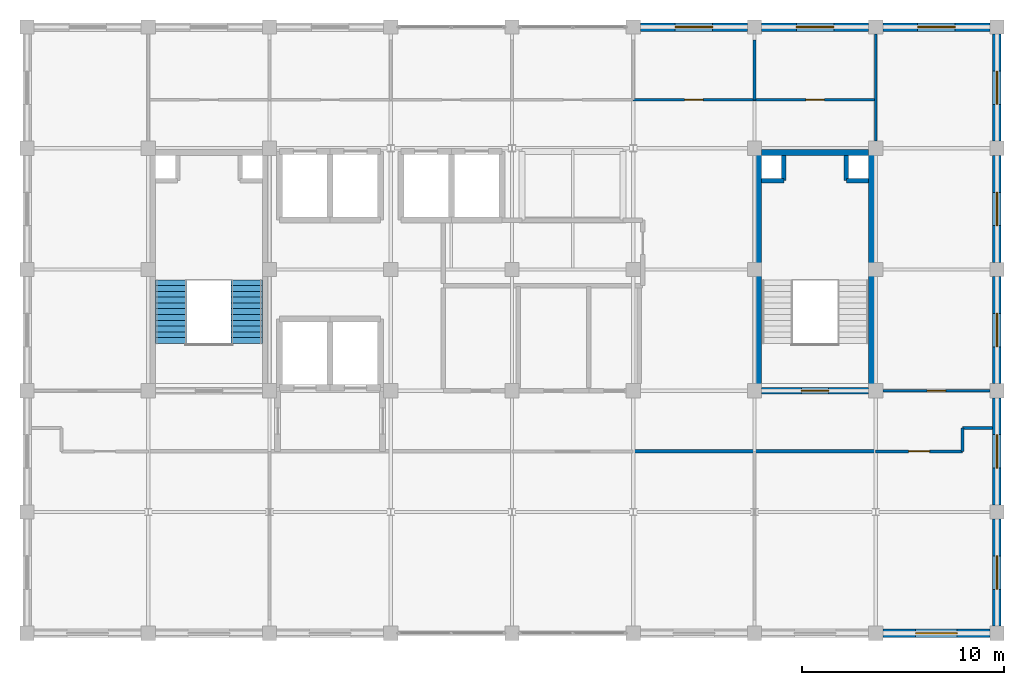
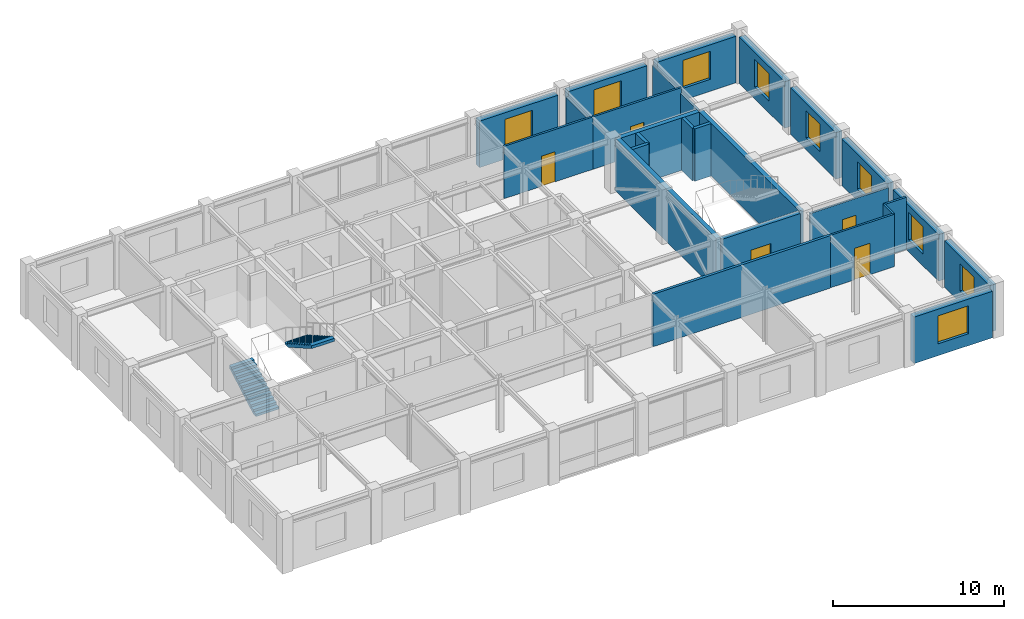
# One storey, part 11 of 13: 26 walls, 9 windows, 5 doors, 2 stair flights, 14 openings, 1 element without a shape of its own.
"""IFC4 building model written with IfcOpenShell, lengths in metres."""

from ifc_helpers import new_model, si_unit, direction, frame, frame_2d, origin, place, context, subcontext, project, spatial, polyline, rectangle, outline, extrude, material, layer, layer_set, type_object, element, fill, aggregate, save


model = new_model("IFC4")

# Units and contexts
model_context = context("Model", 3, precision=1e-05, world=origin(), true_north=direction((0.0, 1.0)))
body_context = subcontext(model_context, "Body", "Model", "MODEL_VIEW")
ifc_project = project(units=[si_unit("LENGTHUNIT", "METRE"), si_unit("AREAUNIT", "SQUARE_METRE"), si_unit("VOLUMEUNIT", "CUBIC_METRE"), si_unit("PLANEANGLEUNIT", "RADIAN"), si_unit("MASSUNIT", "GRAM", prefix="KILO")], contexts=[model_context])

# Site, building, storey
site_placement = place(None, origin())
site = spatial("IfcSite", under=ifc_project, at=site_placement, CompositionType="ELEMENT")
building_placement = place(site_placement, origin())
building = spatial("IfcBuilding", under=site, at=building_placement, Name="Zlatovratsky Civic Hall", CompositionType="ELEMENT")
storey_placement = place(building_placement, frame((0.0, 0.0, 44.39990234375)))
storey = spatial("IfcBuildingStorey", under=building, at=storey_placement, Name="L11", CompositionType="ELEMENT", Elevation=44.39990234375)

# Wall
ifc_material_1 = material(Name="Acoustic ceramic blockwork", Category="masonry")
ifc_layer_1 = layer(ifc_material_1, 0.179931640625)
ifc_layer_set_1 = layer_set([ifc_layer_1], Name="Acoustic ceramic blockwork")
wall_type_1 = type_object("IfcWallType", Name="Wall_AcousticChamberPartition_180", PredefinedType="PARTITIONING", material=ifc_layer_set_1)
wall_1_placement = place(storey_placement, frame((90.0, 81.0, 0.0), z_axis=(0.0, 0.0, 1.0), x_axis=(1.0, 0.0, 0.0)))
element("IfcWall", 1, at=wall_1_placement, inside=storey, type_object=wall_type_1, Name="WL-6557", PredefinedType="PARTITIONING", context=body_context, shape_type="SweptSolid", body=[
    extrude(rectangle(XDim=12.0, YDim=0.179931640625, at=frame_2d((6.0, 0.0))), origin(), (0.0, 0.0, 1.0), 3.739990234375),
])

# Wall, opening, door
ifc_material_2 = material(Name="Fire-rated gypsum board framing", Category="gypsum")
ifc_layer_2 = layer(ifc_material_2, 0.139892578125)
ifc_layer_set_2 = layer_set([ifc_layer_2], Name="Fire-rated gypsum board framing")
wall_type_2 = type_object("IfcWallType", Name="Wall_OfficePartition_140", PredefinedType="PARTITIONING", material=ifc_layer_set_2)
wall_2_placement = place(storey_placement, frame((102.0, 81.0, 0.0), z_axis=(0.0, 0.0, 1.0), x_axis=(1.0, 0.0, 0.0)))
wall_2 = element("IfcWall", 2, at=wall_2_placement, inside=storey, type_object=wall_type_2, Name="WL-6534", PredefinedType="PARTITIONING", context=body_context, shape_type="SweptSolid", body=[
    extrude(rectangle(XDim=4.300048828125, YDim=0.139892578125, at=frame_2d((2.14990234375, 0.0))), origin(), (0.0, 0.0, 1.0), 3.739990234375),
])
opening_1_placement = place(wall_2_placement, frame((1.625, 0.0, 0.0)))
opening_1 = element("IfcOpeningElement", 3, at=opening_1_placement, cuts=wall_2, Name="Opening D-24", PredefinedType="OPENING", context=body_context, shape_type="SweptSolid", body=[
    extrude(rectangle(XDim=1.050048828125, YDim=2.25, at=frame_2d((0.52490234375, 1.125))), frame((0.0, 0.0849609375, 0.0), z_axis=(0.0, -1.0, 0.0), x_axis=(1.0, 0.0, 0.0)), (0.0, 0.0, 1.0), 0.169677734375),
])
ifc_material_3 = material(Name="Solid oak joinery in steel frame", Category="steel")
door_type_1 = type_object("IfcDoorType", Name="Door_DirectorateOffice_1050x2250", OperationType="NOTDEFINED", PredefinedType="DOOR", material=ifc_material_3)
door_1_placement = place(opening_1_placement, origin())
door_1 = element("IfcDoor", 4, at=door_1_placement, inside=storey, type_object=door_type_1, Name="DR-5458", OperationType="SINGLE_SWING_RIGHT", OverallHeight=2.25, OverallWidth=1.050048828125, PredefinedType="DOOR", context=body_context, shape_type="SweptSolid", body=[
    extrude(rectangle(XDim=1.050048828125, YDim=2.25, at=frame_2d((0.52490234375, 1.125))), frame((0.0, 0.02490234375, 0.0), z_axis=(0.0, -1.0, 0.0), x_axis=(1.0, 0.0, 0.0)), (0.0, 0.0, 1.0), 0.050048828125),
])
fill(opening_1, door_1)

wall_3_placement = place(storey_placement, frame((102.35009765625, 84.0, 0.0), z_axis=(0.0, 0.0, 1.0), x_axis=(1.0, 0.0, 0.0)))
wall_3 = element("IfcWall", 5, at=wall_3_placement, inside=storey, type_object=wall_type_2, Name="WL-6536", PredefinedType="PARTITIONING", context=body_context, shape_type="SweptSolid", body=[
    extrude(rectangle(XDim=5.2998046875, YDim=0.139892578125, at=frame_2d((2.64990234375, 0.0))), origin(), (0.0, 0.0, 1.0), 3.34814453125),
])
opening_2_placement = place(wall_3_placement, frame((2.18994140625, 0.0, 0.0)))
opening_2 = element("IfcOpeningElement", 6, at=opening_2_placement, cuts=wall_3, Name="Opening D-23", PredefinedType="OPENING", context=body_context, shape_type="SweptSolid", body=[
    extrude(rectangle(XDim=0.919921875, YDim=2.14990234375, at=frame_2d((0.4599609375, 1.074951171875))), frame((0.0, 0.0849609375, 0.0), z_axis=(0.0, -1.0, 0.0), x_axis=(1.0, 0.0, 0.0)), (0.0, 0.0, 1.0), 0.169677734375),
])
door_type_2 = type_object("IfcDoorType", Name="Door_OfficeStandard_920x2150", OperationType="NOTDEFINED", PredefinedType="DOOR", material=ifc_material_3)
door_2_placement = place(opening_2_placement, origin())
door_2 = element("IfcDoor", 7, at=door_2_placement, inside=storey, type_object=door_type_2, Name="DR-5460", OperationType="SINGLE_SWING_LEFT", OverallHeight=2.14990234375, OverallWidth=0.919921875, PredefinedType="DOOR", context=body_context, shape_type="SweptSolid", body=[
    extrude(rectangle(XDim=0.919921875, YDim=2.14990234375, at=frame_2d((0.4599609375, 1.074951171875))), frame((0.0, 0.02490234375, 0.0), z_axis=(0.0, -1.0, 0.0), x_axis=(1.0, 0.0, 0.0)), (0.0, 0.0, 1.0), 0.050048828125),
])
fill(opening_2, door_2)

wall_4_placement = place(storey_placement, frame((90.0, 98.39990234375, 0.0), z_axis=(0.0, 0.0, 1.0), x_axis=(1.0, 0.0, 0.0)))
wall_4 = element("IfcWall", 8, at=wall_4_placement, inside=storey, type_object=wall_type_2, Name="WL-6541", PredefinedType="PARTITIONING", context=body_context, shape_type="SweptSolid", body=[
    extrude(rectangle(XDim=6.0, YDim=0.139892578125, at=frame_2d((3.0, 0.0))), origin(), (0.0, 0.0, 1.0), 3.739990234375),
])
opening_3_placement = place(wall_4_placement, frame((2.5400390625, 0.0, 0.0)))
opening_3 = element("IfcOpeningElement", 9, at=opening_3_placement, cuts=wall_4, Name="Opening D-23", PredefinedType="OPENING", context=body_context, shape_type="SweptSolid", body=[
    extrude(rectangle(XDim=0.919921875, YDim=2.14990234375, at=frame_2d((0.4599609375, 1.074951171875))), frame((0.0, 0.0849609375, 0.0), z_axis=(0.0, -1.0, 0.0), x_axis=(1.0, 0.0, 0.0)), (0.0, 0.0, 1.0), 0.169677734375),
])
door_3_placement = place(opening_3_placement, origin())
door_3 = element("IfcDoor", 10, at=door_3_placement, inside=storey, type_object=door_type_2, Name="DR-5465", OperationType="SINGLE_SWING_RIGHT", OverallHeight=2.14990234375, OverallWidth=0.919921875, PredefinedType="DOOR", context=body_context, shape_type="SweptSolid", body=[
    extrude(rectangle(XDim=0.919921875, YDim=2.14990234375, at=frame_2d((0.4599609375, 1.074951171875))), frame((0.0, 0.02490234375, 0.0), z_axis=(0.0, -1.0, 0.0), x_axis=(1.0, 0.0, 0.0)), (0.0, 0.0, 1.0), 0.050048828125),
])
fill(opening_3, door_3)

wall_5_placement = place(storey_placement, frame((96.0, 98.39990234375, 0.0), z_axis=(0.0, 0.0, 1.0), x_axis=(1.0, 0.0, 0.0)))
wall_5 = element("IfcWall", 11, at=wall_5_placement, inside=storey, type_object=wall_type_2, Name="WL-6542", PredefinedType="PARTITIONING", context=body_context, shape_type="SweptSolid", body=[
    extrude(rectangle(XDim=6.0, YDim=0.139892578125, at=frame_2d((3.0, 0.0))), origin(), (0.0, 0.0, 1.0), 3.739990234375),
])
opening_4_placement = place(wall_5_placement, frame((2.5400390625, 0.0, 0.0)))
opening_4 = element("IfcOpeningElement", 12, at=opening_4_placement, cuts=wall_5, Name="Opening D-23", PredefinedType="OPENING", context=body_context, shape_type="SweptSolid", body=[
    extrude(rectangle(XDim=0.919921875, YDim=2.14990234375, at=frame_2d((0.4599609375, 1.074951171875))), frame((0.0, 0.0849609375, 0.0), z_axis=(0.0, -1.0, 0.0), x_axis=(1.0, 0.0, 0.0)), (0.0, 0.0, 1.0), 0.169677734375),
])
door_4_placement = place(opening_4_placement, origin())
door_4 = element("IfcDoor", 13, at=door_4_placement, inside=storey, type_object=door_type_2, Name="DR-5466", OperationType="SINGLE_SWING_RIGHT", OverallHeight=2.14990234375, OverallWidth=0.919921875, PredefinedType="DOOR", context=body_context, shape_type="SweptSolid", body=[
    extrude(rectangle(XDim=0.919921875, YDim=2.14990234375, at=frame_2d((0.4599609375, 1.074951171875))), frame((0.0, 0.02490234375, 0.0), z_axis=(0.0, -1.0, 0.0), x_axis=(1.0, 0.0, 0.0)), (0.0, 0.0, 1.0), 0.050048828125),
])
fill(opening_4, door_4)

# Walls
wall_6_placement = place(storey_placement, frame((96.0, 98.39990234375, 0.0), z_axis=(0.0, 0.0, 1.0), x_axis=(0.0, 1.0, 0.0)))
element("IfcWall", 14, at=wall_6_placement, inside=storey, type_object=wall_type_2, Name="WL-6549", PredefinedType="PARTITIONING", context=body_context, shape_type="SweptSolid", body=[
    extrude(rectangle(XDim=2.9501953125, YDim=0.139892578125, at=frame_2d((1.47509765625, 0.0))), origin(), (0.0, 0.0, 1.0), 3.34814453125),
])
wall_7_placement = place(storey_placement, frame((106.300048828125, 81.0, 0.0), z_axis=(0.0, 0.0, 1.0), x_axis=(0.0, 1.0, 0.0)))
element("IfcWall", 15, at=wall_7_placement, inside=storey, type_object=wall_type_2, Name="WL-6560", PredefinedType="PARTITIONING", context=body_context, shape_type="SweptSolid", body=[
    extrude(rectangle(XDim=1.14990234375, YDim=0.139892578125, at=frame_2d((0.574951171875, 0.0))), origin(), (0.0, 0.0, 1.0), 3.739990234375),
])
wall_8_placement = place(storey_placement, frame((106.300048828125, 82.14990234375, 0.0), z_axis=(0.0, 0.0, 1.0), x_axis=(1.0, 0.0, 0.0)))
element("IfcWall", 16, at=wall_8_placement, inside=storey, type_object=wall_type_2, Name="WL-6561", PredefinedType="PARTITIONING", context=body_context, shape_type="SweptSolid", body=[
    extrude(rectangle(XDim=1.489990234375, YDim=0.139892578125, at=frame_2d((0.7451171875, 0.0))), origin(), (0.0, 0.0, 1.0), 3.739990234375),
])
wall_9_placement = place(storey_placement, frame((102.0, 96.35009765625, 0.0), z_axis=(0.0, 0.0, 1.0), x_axis=(0.0, 1.0, 0.0)))
element("IfcWall", 17, at=wall_9_placement, inside=storey, type_object=wall_type_2, Name="WL-6563", PredefinedType="PARTITIONING", context=body_context, shape_type="SweptSolid", body=[
    extrude(rectangle(XDim=5.2998046875, YDim=0.139892578125, at=frame_2d((2.64990234375, 0.0))), origin(), (0.0, 0.0, 1.0), 3.34814453125),
])
ifc_layer_3 = layer(ifc_material_1, 0.219970703125)
ifc_layer_set_3 = layer_set([ifc_layer_3], Name="Acoustic ceramic blockwork")
wall_type_3 = type_object("IfcWallType", Name="Wall_SanitaryWetCore_220", PredefinedType="PARTITIONING", material=ifc_layer_set_3)
wall_10_placement = place(storey_placement, frame((97.449951171875, 94.39990234375, 0.0), z_axis=(0.0, 0.0, 1.0), x_axis=(0.0, 1.0, 0.0)))
element("IfcWall", 18, at=wall_10_placement, inside=storey, type_object=wall_type_3, Name="WL-5251", PredefinedType="PARTITIONING", context=body_context, shape_type="SweptSolid", body=[
    extrude(rectangle(XDim=1.25, YDim=0.219970703125, at=frame_2d((0.625, 0.0))), origin(), (0.0, 0.0, 1.0), 3.739990234375),
])
wall_11_placement = place(storey_placement, frame((96.35009765625, 94.39990234375, 0.0), z_axis=(0.0, 0.0, 1.0), x_axis=(1.0, 0.0, 0.0)))
element("IfcWall", 19, at=wall_11_placement, inside=storey, type_object=wall_type_3, Name="WL-5252", PredefinedType="PARTITIONING", context=body_context, shape_type="SweptSolid", body=[
    extrude(rectangle(XDim=1.099853515625, YDim=0.219970703125, at=frame_2d((0.5498046875, 0.0))), origin(), (0.0, 0.0, 1.0), 3.739990234375),
])
wall_12_placement = place(storey_placement, frame((100.550048828125, 94.39990234375, 0.0), z_axis=(0.0, 0.0, 1.0), x_axis=(0.0, 1.0, 0.0)))
element("IfcWall", 20, at=wall_12_placement, inside=storey, type_object=wall_type_3, Name="WL-5253", PredefinedType="PARTITIONING", context=body_context, shape_type="SweptSolid", body=[
    extrude(rectangle(XDim=1.25, YDim=0.219970703125, at=frame_2d((0.625, 0.0))), origin(), (0.0, 0.0, 1.0), 3.739990234375),
])
wall_13_placement = place(storey_placement, frame((100.550048828125, 94.39990234375, 0.0), z_axis=(0.0, 0.0, 1.0), x_axis=(1.0, 0.0, 0.0)))
element("IfcWall", 21, at=wall_13_placement, inside=storey, type_object=wall_type_3, Name="WL-5254", PredefinedType="PARTITIONING", context=body_context, shape_type="SweptSolid", body=[
    extrude(rectangle(XDim=1.099853515625, YDim=0.219970703125, at=frame_2d((0.5498046875, 0.0))), origin(), (0.0, 0.0, 1.0), 3.739990234375),
])

# Wall, opening, door
ifc_material_4 = material(Name="Concrete C35/45 (B40)", Category="concrete")
ifc_layer_4 = layer(ifc_material_4, 0.300048828125)
ifc_layer_set_4 = layer_set([ifc_layer_4], Name="Concrete C35/45 (B40)")
wall_type_4 = type_object("IfcWallType", Name="Wall_StairAndLiftShaft_300", PredefinedType="SHEAR", material=ifc_layer_set_4)
wall_14_placement = place(storey_placement, frame((96.35009765625, 84.0, 0.0), z_axis=(0.0, 0.0, 1.0), x_axis=(1.0, 0.0, 0.0)))
wall_14 = element("IfcWall", 22, at=wall_14_placement, inside=storey, type_object=wall_type_4, Name="WL-5247", PredefinedType="SHEAR", context=body_context, shape_type="SweptSolid", body=[
    extrude(rectangle(XDim=5.2998046875, YDim=0.300048828125, at=frame_2d((2.64990234375, 0.0))), origin(), (0.0, 0.0, 1.0), 3.66015625),
])
opening_5_placement = place(wall_14_placement, frame((1.97509765625, 0.0, 0.0)))
opening_5 = element("IfcOpeningElement", 23, at=opening_5_placement, cuts=wall_14, Name="Opening D-17", PredefinedType="OPENING", context=body_context, shape_type="SweptSolid", body=[
    extrude(rectangle(XDim=1.35009765625, YDim=2.199951171875, at=frame_2d((0.675048828125, 1.10009765625))), frame((0.0, 0.1650390625, 0.0), z_axis=(0.0, -1.0, 0.0), x_axis=(1.0, 0.0, 0.0)), (0.0, 0.0, 1.0), 0.329833984375),
])
ifc_material_5 = material(Name="Insulated painted fire-rated steel leaf", Category="steel")
door_type_3 = type_object("IfcDoorType", Name="Door_StairwellFireTower_1350x2200", OperationType="NOTDEFINED", PredefinedType="DOOR", material=ifc_material_5)
door_5_placement = place(opening_5_placement, origin())
door_5 = element("IfcDoor", 24, at=door_5_placement, inside=storey, type_object=door_type_3, Name="DR-5031", OperationType="SINGLE_SWING_LEFT", OverallHeight=2.199951171875, OverallWidth=1.35009765625, PredefinedType="DOOR", context=body_context, shape_type="SweptSolid", body=[
    extrude(rectangle(XDim=1.35009765625, YDim=2.199951171875, at=frame_2d((0.675048828125, 1.10009765625))), frame((0.0, 0.02490234375, 0.0), z_axis=(0.0, -1.0, 0.0), x_axis=(1.0, 0.0, 0.0)), (0.0, 0.0, 1.0), 0.050048828125),
])
fill(opening_5, door_5)

# Walls
wall_15_placement = place(storey_placement, frame((96.35009765625, 95.800048828125, 0.0), z_axis=(0.0, 0.0, 1.0), x_axis=(1.0, 0.0, 0.0)))
element("IfcWall", 25, at=wall_15_placement, inside=storey, type_object=wall_type_4, Name="WL-5248", PredefinedType="SHEAR", context=body_context, shape_type="SweptSolid", body=[
    extrude(rectangle(XDim=5.2998046875, YDim=0.300048828125, at=frame_2d((2.64990234375, 0.0))), origin(), (0.0, 0.0, 1.0), 3.739990234375),
])
for number, where, z_axis, x_axis, name in (
    (26, (96.199951171875, 84.0, 0.0), (0.0, 0.0, 1.0), (0.0, 1.0, 0.0), "WL-5249"),
    (27, (101.800048828125, 84.0, 0.0), (0.0, 0.0, 1.0), (0.0, 1.0, 0.0), "WL-5250"),
):
    element("IfcWall", number, at=place(storey_placement, frame(where, z_axis=z_axis, x_axis=x_axis)), inside=storey, type_object=wall_type_4, Name=name, PredefinedType="SHEAR", context=body_context, shape_type="SweptSolid", body=[
        extrude(rectangle(XDim=11.800048828125, YDim=0.300048828125, at=frame_2d((5.89990234375, 0.0))), origin(), (0.0, 0.0, 1.0), 3.739990234375),
    ])

# Wall, opening, window
ifc_layer_5 = layer(ifc_material_1, 0.280029296875, Name="Backing")
ifc_material_6 = material(Name="Podolsk limestone ashlar", Category="masonry")
ifc_layer_6 = layer(ifc_material_6, 0.139892578125, Name="Finish")
ifc_layer_set_5 = layer_set([ifc_layer_5, ifc_layer_6], Name="Acoustic ceramic blockwork")
wall_type_5 = type_object("IfcWallType", Name="Wall_TowerLimestoneAshlar_420", PredefinedType="SOLIDWALL", material=ifc_layer_set_5)
wall_16_placement = place(storey_placement, frame((102.35009765625, 72.0, 0.0), z_axis=(0.0, 0.0, 1.0), x_axis=(1.0, 0.0, 0.0)))
wall_16 = element("IfcWall", 28, at=wall_16_placement, inside=storey, type_object=wall_type_5, Name="WL-0550", PredefinedType="SOLIDWALL", context=body_context, shape_type="SweptSolid", body=[
    extrude(rectangle(XDim=5.2998046875, YDim=0.419921875, at=frame_2d((2.64990234375, 0.0))), origin(), (0.0, 0.0, 1.0), 3.320068359375),
])
opening_6_placement = place(wall_16_placement, frame((1.625, 0.0, 0.85009765625)))
opening_6 = element("IfcOpeningElement", 29, at=opening_6_placement, cuts=wall_16, Name="Opening WN-17", PredefinedType="OPENING", context=body_context, shape_type="SweptSolid", body=[
    extrude(rectangle(XDim=2.050048828125, YDim=2.0, at=frame_2d((1.02490234375, 1.0))), frame((0.0, 0.224853515625, 0.0), z_axis=(0.0, -1.0, 0.0), x_axis=(1.0, 0.0, 0.0)), (0.0, 0.0, 1.0), 0.44970703125),
])
ifc_material_7 = material(Name="Low-E laminated double glazing", Category="glass")
window_type_1 = type_object("IfcWindowType", Name="Window_TowerTier2South_2050x2000", PartitioningType="SINGLE_PANEL", PredefinedType="WINDOW", material=ifc_material_7)
window_1_placement = place(opening_6_placement, origin())
window_1 = element("IfcWindow", 30, at=window_1_placement, inside=storey, type_object=window_type_1, Name="WN-0424", OverallHeight=2.0, OverallWidth=2.050048828125, PartitioningType="SINGLE_PANEL", PredefinedType="WINDOW", context=body_context, shape_type="SweptSolid", body=[
    extrude(rectangle(XDim=2.050048828125, YDim=2.0, at=frame_2d((1.02490234375, 1.0))), frame((0.0, 0.030029296875, 0.0), z_axis=(0.0, -1.0, 0.0), x_axis=(1.0, 0.0, 0.0)), (0.0, 0.0, 1.0), 0.06005859375),
])
fill(opening_6, window_1)

wall_17_placement = place(storey_placement, frame((90.35009765625, 102.0, 0.0), z_axis=(0.0, 0.0, 1.0), x_axis=(1.0, 0.0, 0.0)))
wall_17 = element("IfcWall", 31, at=wall_17_placement, inside=storey, type_object=wall_type_5, Name="WL-0554", PredefinedType="SOLIDWALL", context=body_context, shape_type="SweptSolid", body=[
    extrude(rectangle(XDim=5.2998046875, YDim=0.419921875, at=frame_2d((2.64990234375, 0.0))), origin(), (0.0, 0.0, 1.0), 3.320068359375),
])
opening_7_placement = place(wall_17_placement, frame((1.72509765625, 0.0, 0.85009765625)))
opening_7 = element("IfcOpeningElement", 32, at=opening_7_placement, cuts=wall_17, Name="Opening WN-18", PredefinedType="OPENING", context=body_context, shape_type="SweptSolid", body=[
    extrude(rectangle(XDim=1.85009765625, YDim=2.0, at=frame_2d((0.925048828125, 1.0))), frame((0.0, 0.224853515625, 0.0), z_axis=(0.0, -1.0, 0.0), x_axis=(1.0, 0.0, 0.0)), (0.0, 0.0, 1.0), 0.44970703125),
])
window_type_2 = type_object("IfcWindowType", Name="Window_TowerTier2North_1850x2000", PartitioningType="SINGLE_PANEL", PredefinedType="WINDOW", material=ifc_material_7)
window_2_placement = place(opening_7_placement, origin())
window_2 = element("IfcWindow", 33, at=window_2_placement, inside=storey, type_object=window_type_2, Name="WN-0428", OverallHeight=2.0, OverallWidth=1.85009765625, PartitioningType="SINGLE_PANEL", PredefinedType="WINDOW", context=body_context, shape_type="SweptSolid", body=[
    extrude(rectangle(XDim=1.85009765625, YDim=2.0, at=frame_2d((0.925048828125, 1.0))), frame((0.0, 0.030029296875, 0.0), z_axis=(0.0, -1.0, 0.0), x_axis=(1.0, 0.0, 0.0)), (0.0, 0.0, 1.0), 0.06005859375),
])
fill(opening_7, window_2)

wall_18_placement = place(storey_placement, frame((96.35009765625, 102.0, 0.0), z_axis=(0.0, 0.0, 1.0), x_axis=(1.0, 0.0, 0.0)))
wall_18 = element("IfcWall", 34, at=wall_18_placement, inside=storey, type_object=wall_type_5, Name="WL-0555", PredefinedType="SOLIDWALL", context=body_context, shape_type="SweptSolid", body=[
    extrude(rectangle(XDim=5.2998046875, YDim=0.419921875, at=frame_2d((2.64990234375, 0.0))), origin(), (0.0, 0.0, 1.0), 3.320068359375),
])
opening_8_placement = place(wall_18_placement, frame((1.72509765625, 0.0, 0.85009765625)))
opening_8 = element("IfcOpeningElement", 35, at=opening_8_placement, cuts=wall_18, Name="Opening WN-18", PredefinedType="OPENING", context=body_context, shape_type="SweptSolid", body=[
    extrude(rectangle(XDim=1.85009765625, YDim=2.0, at=frame_2d((0.925048828125, 1.0))), frame((0.0, 0.224853515625, 0.0), z_axis=(0.0, -1.0, 0.0), x_axis=(1.0, 0.0, 0.0)), (0.0, 0.0, 1.0), 0.44970703125),
])
window_3_placement = place(opening_8_placement, origin())
window_3 = element("IfcWindow", 36, at=window_3_placement, inside=storey, type_object=window_type_2, Name="WN-0429", OverallHeight=2.0, OverallWidth=1.85009765625, PartitioningType="SINGLE_PANEL", PredefinedType="WINDOW", context=body_context, shape_type="SweptSolid", body=[
    extrude(rectangle(XDim=1.85009765625, YDim=2.0, at=frame_2d((0.925048828125, 1.0))), frame((0.0, 0.030029296875, 0.0), z_axis=(0.0, -1.0, 0.0), x_axis=(1.0, 0.0, 0.0)), (0.0, 0.0, 1.0), 0.06005859375),
])
fill(opening_8, window_3)

wall_19_placement = place(storey_placement, frame((102.35009765625, 102.0, 0.0), z_axis=(0.0, 0.0, 1.0), x_axis=(1.0, 0.0, 0.0)))
wall_19 = element("IfcWall", 37, at=wall_19_placement, inside=storey, type_object=wall_type_5, Name="WL-0556", PredefinedType="SOLIDWALL", context=body_context, shape_type="SweptSolid", body=[
    extrude(rectangle(XDim=5.2998046875, YDim=0.419921875, at=frame_2d((2.64990234375, 0.0))), origin(), (0.0, 0.0, 1.0), 3.320068359375),
])
opening_9_placement = place(wall_19_placement, frame((1.72509765625, 0.0, 0.85009765625)))
opening_9 = element("IfcOpeningElement", 38, at=opening_9_placement, cuts=wall_19, Name="Opening WN-18", PredefinedType="OPENING", context=body_context, shape_type="SweptSolid", body=[
    extrude(rectangle(XDim=1.85009765625, YDim=2.0, at=frame_2d((0.925048828125, 1.0))), frame((0.0, 0.224853515625, 0.0), z_axis=(0.0, -1.0, 0.0), x_axis=(1.0, 0.0, 0.0)), (0.0, 0.0, 1.0), 0.44970703125),
])
window_4_placement = place(opening_9_placement, origin())
window_4 = element("IfcWindow", 39, at=window_4_placement, inside=storey, type_object=window_type_2, Name="WN-0430", OverallHeight=2.0, OverallWidth=1.85009765625, PartitioningType="SINGLE_PANEL", PredefinedType="WINDOW", context=body_context, shape_type="SweptSolid", body=[
    extrude(rectangle(XDim=1.85009765625, YDim=2.0, at=frame_2d((0.925048828125, 1.0))), frame((0.0, 0.030029296875, 0.0), z_axis=(0.0, -1.0, 0.0), x_axis=(1.0, 0.0, 0.0)), (0.0, 0.0, 1.0), 0.06005859375),
])
fill(opening_9, window_4)

wall_20_placement = place(storey_placement, frame((108.0, 72.35009765625, 0.0), z_axis=(0.0, 0.0, 1.0), x_axis=(0.0, 1.0, 0.0)))
wall_20 = element("IfcWall", 40, at=wall_20_placement, inside=storey, type_object=wall_type_5, Name="WL-0562", PredefinedType="SOLIDWALL", context=body_context, shape_type="SweptSolid", body=[
    extrude(rectangle(XDim=5.2998046875, YDim=0.419921875, at=frame_2d((2.64990234375, 0.0))), origin(), (0.0, 0.0, 1.0), 3.320068359375),
])
opening_10_placement = place(wall_20_placement, frame((1.824951171875, 0.0, 0.85009765625)))
opening_10 = element("IfcOpeningElement", 41, at=opening_10_placement, cuts=wall_20, Name="Opening WN-19", PredefinedType="OPENING", context=body_context, shape_type="SweptSolid", body=[
    extrude(rectangle(XDim=1.64990234375, YDim=1.949951171875, at=frame_2d((0.824951171875, 0.97509765625))), frame((0.0, 0.224853515625, 0.0), z_axis=(0.0, -1.0, 0.0), x_axis=(1.0, 0.0, 0.0)), (0.0, 0.0, 1.0), 0.44970703125),
])
window_type_3 = type_object("IfcWindowType", Name="Window_TowerTier2Flank_1650x1950", PartitioningType="SINGLE_PANEL", PredefinedType="WINDOW", material=ifc_material_7)
window_5_placement = place(opening_10_placement, origin())
window_5 = element("IfcWindow", 42, at=window_5_placement, inside=storey, type_object=window_type_3, Name="WN-0436", OverallHeight=1.949951171875, OverallWidth=1.64990234375, PartitioningType="SINGLE_PANEL", PredefinedType="WINDOW", context=body_context, shape_type="SweptSolid", body=[
    extrude(rectangle(XDim=1.64990234375, YDim=1.949951171875, at=frame_2d((0.824951171875, 0.97509765625))), frame((0.0, 0.030029296875, 0.0), z_axis=(0.0, -1.0, 0.0), x_axis=(1.0, 0.0, 0.0)), (0.0, 0.0, 1.0), 0.06005859375),
])
fill(opening_10, window_5)

wall_21_placement = place(storey_placement, frame((108.0, 78.35009765625, 0.0), z_axis=(0.0, 0.0, 1.0), x_axis=(0.0, 1.0, 0.0)))
wall_21 = element("IfcWall", 43, at=wall_21_placement, inside=storey, type_object=wall_type_5, Name="WL-0563", PredefinedType="SOLIDWALL", context=body_context, shape_type="SweptSolid", body=[
    extrude(rectangle(XDim=5.2998046875, YDim=0.419921875, at=frame_2d((2.64990234375, 0.0))), origin(), (0.0, 0.0, 1.0), 3.320068359375),
])
opening_11_placement = place(wall_21_placement, frame((1.824951171875, 0.0, 0.85009765625)))
opening_11 = element("IfcOpeningElement", 44, at=opening_11_placement, cuts=wall_21, Name="Opening WN-19", PredefinedType="OPENING", context=body_context, shape_type="SweptSolid", body=[
    extrude(rectangle(XDim=1.64990234375, YDim=1.949951171875, at=frame_2d((0.824951171875, 0.97509765625))), frame((0.0, 0.224853515625, 0.0), z_axis=(0.0, -1.0, 0.0), x_axis=(1.0, 0.0, 0.0)), (0.0, 0.0, 1.0), 0.44970703125),
])
window_6_placement = place(opening_11_placement, origin())
window_6 = element("IfcWindow", 45, at=window_6_placement, inside=storey, type_object=window_type_3, Name="WN-0437", OverallHeight=1.949951171875, OverallWidth=1.64990234375, PartitioningType="SINGLE_PANEL", PredefinedType="WINDOW", context=body_context, shape_type="SweptSolid", body=[
    extrude(rectangle(XDim=1.64990234375, YDim=1.949951171875, at=frame_2d((0.824951171875, 0.97509765625))), frame((0.0, 0.030029296875, 0.0), z_axis=(0.0, -1.0, 0.0), x_axis=(1.0, 0.0, 0.0)), (0.0, 0.0, 1.0), 0.06005859375),
])
fill(opening_11, window_6)

wall_22_placement = place(storey_placement, frame((108.0, 84.35009765625, 0.0), z_axis=(0.0, 0.0, 1.0), x_axis=(0.0, 1.0, 0.0)))
wall_22 = element("IfcWall", 46, at=wall_22_placement, inside=storey, type_object=wall_type_5, Name="WL-0564", PredefinedType="SOLIDWALL", context=body_context, shape_type="SweptSolid", body=[
    extrude(rectangle(XDim=5.2998046875, YDim=0.419921875, at=frame_2d((2.64990234375, 0.0))), origin(), (0.0, 0.0, 1.0), 3.320068359375),
])
opening_12_placement = place(wall_22_placement, frame((1.824951171875, 0.0, 0.85009765625)))
opening_12 = element("IfcOpeningElement", 47, at=opening_12_placement, cuts=wall_22, Name="Opening WN-19", PredefinedType="OPENING", context=body_context, shape_type="SweptSolid", body=[
    extrude(rectangle(XDim=1.64990234375, YDim=1.949951171875, at=frame_2d((0.824951171875, 0.97509765625))), frame((0.0, 0.224853515625, 0.0), z_axis=(0.0, -1.0, 0.0), x_axis=(1.0, 0.0, 0.0)), (0.0, 0.0, 1.0), 0.44970703125),
])
window_7_placement = place(opening_12_placement, origin())
window_7 = element("IfcWindow", 48, at=window_7_placement, inside=storey, type_object=window_type_3, Name="WN-0438", OverallHeight=1.949951171875, OverallWidth=1.64990234375, PartitioningType="SINGLE_PANEL", PredefinedType="WINDOW", context=body_context, shape_type="SweptSolid", body=[
    extrude(rectangle(XDim=1.64990234375, YDim=1.949951171875, at=frame_2d((0.824951171875, 0.97509765625))), frame((0.0, 0.030029296875, 0.0), z_axis=(0.0, -1.0, 0.0), x_axis=(1.0, 0.0, 0.0)), (0.0, 0.0, 1.0), 0.06005859375),
])
fill(opening_12, window_7)

wall_23_placement = place(storey_placement, frame((108.0, 90.35009765625, 0.0), z_axis=(0.0, 0.0, 1.0), x_axis=(0.0, 1.0, 0.0)))
wall_23 = element("IfcWall", 49, at=wall_23_placement, inside=storey, type_object=wall_type_5, Name="WL-0565", PredefinedType="SOLIDWALL", context=body_context, shape_type="SweptSolid", body=[
    extrude(rectangle(XDim=5.2998046875, YDim=0.419921875, at=frame_2d((2.64990234375, 0.0))), origin(), (0.0, 0.0, 1.0), 3.320068359375),
])
opening_13_placement = place(wall_23_placement, frame((1.824951171875, 0.0, 0.85009765625)))
opening_13 = element("IfcOpeningElement", 50, at=opening_13_placement, cuts=wall_23, Name="Opening WN-19", PredefinedType="OPENING", context=body_context, shape_type="SweptSolid", body=[
    extrude(rectangle(XDim=1.64990234375, YDim=1.949951171875, at=frame_2d((0.824951171875, 0.97509765625))), frame((0.0, 0.224853515625, 0.0), z_axis=(0.0, -1.0, 0.0), x_axis=(1.0, 0.0, 0.0)), (0.0, 0.0, 1.0), 0.44970703125),
])
window_8_placement = place(opening_13_placement, origin())
window_8 = element("IfcWindow", 51, at=window_8_placement, inside=storey, type_object=window_type_3, Name="WN-0439", OverallHeight=1.949951171875, OverallWidth=1.64990234375, PartitioningType="SINGLE_PANEL", PredefinedType="WINDOW", context=body_context, shape_type="SweptSolid", body=[
    extrude(rectangle(XDim=1.64990234375, YDim=1.949951171875, at=frame_2d((0.824951171875, 0.97509765625))), frame((0.0, 0.030029296875, 0.0), z_axis=(0.0, -1.0, 0.0), x_axis=(1.0, 0.0, 0.0)), (0.0, 0.0, 1.0), 0.06005859375),
])
fill(opening_13, window_8)

wall_24_placement = place(storey_placement, frame((108.0, 96.35009765625, 0.0), z_axis=(0.0, 0.0, 1.0), x_axis=(0.0, 1.0, 0.0)))
wall_24 = element("IfcWall", 52, at=wall_24_placement, inside=storey, type_object=wall_type_5, Name="WL-0566", PredefinedType="SOLIDWALL", context=body_context, shape_type="SweptSolid", body=[
    extrude(rectangle(XDim=5.2998046875, YDim=0.419921875, at=frame_2d((2.64990234375, 0.0))), origin(), (0.0, 0.0, 1.0), 3.320068359375),
])
opening_14_placement = place(wall_24_placement, frame((1.824951171875, 0.0, 0.85009765625)))
opening_14 = element("IfcOpeningElement", 53, at=opening_14_placement, cuts=wall_24, Name="Opening WN-19", PredefinedType="OPENING", context=body_context, shape_type="SweptSolid", body=[
    extrude(rectangle(XDim=1.64990234375, YDim=1.949951171875, at=frame_2d((0.824951171875, 0.97509765625))), frame((0.0, 0.224853515625, 0.0), z_axis=(0.0, -1.0, 0.0), x_axis=(1.0, 0.0, 0.0)), (0.0, 0.0, 1.0), 0.44970703125),
])
window_9_placement = place(opening_14_placement, origin())
window_9 = element("IfcWindow", 54, at=window_9_placement, inside=storey, type_object=window_type_3, Name="WN-0440", OverallHeight=1.949951171875, OverallWidth=1.64990234375, PartitioningType="SINGLE_PANEL", PredefinedType="WINDOW", context=body_context, shape_type="SweptSolid", body=[
    extrude(rectangle(XDim=1.64990234375, YDim=1.949951171875, at=frame_2d((0.824951171875, 0.97509765625))), frame((0.0, 0.030029296875, 0.0), z_axis=(0.0, -1.0, 0.0), x_axis=(1.0, 0.0, 0.0)), (0.0, 0.0, 1.0), 0.06005859375),
])
fill(opening_14, window_9)

# Stair, stair flights
ifc_material_8 = material(Name="Concrete C30/37 (B35)", Category="concrete")
stair_type = type_object("IfcStairType", Name="Stair_HALF_24R_1550W_04", PredefinedType="HALF_TURN_STAIR", material=ifc_material_8)
stair_placement = place(storey_placement, origin())
stair = element("IfcStair", 55, at=stair_placement, inside=storey, type_object=stair_type, Name="ST-012", PredefinedType="HALF_TURN_STAIR")
stair_flight_type = type_object("IfcStairFlightType", Name="StairFlight_12R_1550W_04", PredefinedType="STRAIGHT", material=ifc_material_8)
stair_flight_1_placement = place(storey_placement, frame((67.125, 86.35009765625, 0.0), z_axis=(0.0, 0.0, 1.0), x_axis=(0.0, 1.0, 0.0)))
stair_flight_1 = element("IfcStairFlight", 56, at=stair_flight_1_placement, type_object=stair_flight_type, Name="ST-012-F1", NumberOfRisers=12, NumberOfTreads=11, PredefinedType="STRAIGHT", RiserHeight=0.1625, TreadLength=0.285, context=body_context, shape_type="SweptSolid", body=[
    extrude(outline(polyline([(0.0, 0.0), (0.0, 0.16259765625), (0.284912109375, 0.16259765625), (0.284912109375, 0.324951171875), (0.570068359375, 0.324951171875), (0.570068359375, 0.487548828125), (0.85498046875, 0.487548828125), (0.85498046875, 0.64990234375), (1.139892578125, 0.64990234375), (1.139892578125, 0.8125), (1.425048828125, 0.8125), (1.425048828125, 0.97509765625), (1.7099609375, 0.97509765625), (1.7099609375, 1.137451171875), (1.9951171875, 1.137451171875), (1.9951171875, 1.300048828125), (2.280029296875, 1.300048828125), (2.280029296875, 1.46240234375), (2.56494140625, 1.46240234375), (2.56494140625, 1.625), (2.85009765625, 1.625), (2.85009765625, 1.78759765625), (3.135009765625, 1.78759765625), (3.135009765625, 1.949951171875), (3.135009765625, 1.580322265625), (0.36328125, 0.0), (0.0, 0.0)])), frame((0.0, 0.77490234375, 0.0), z_axis=(0.0, -1.0, 0.0), x_axis=(1.0, 0.0, 0.0)), (0.0, 0.0, 1.0), 1.550048828125),
])
stair_flight_2_placement = place(storey_placement, frame((70.875, 89.485107421875, 1.9501953125), z_axis=(0.0, 0.0, 1.0), x_axis=(0.0, -1.0, 0.0)))
stair_flight_2 = element("IfcStairFlight", 57, at=stair_flight_2_placement, type_object=stair_flight_type, Name="ST-012-F2", NumberOfRisers=12, NumberOfTreads=11, PredefinedType="STRAIGHT", RiserHeight=0.1625, TreadLength=0.285, context=body_context, shape_type="SweptSolid", body=[
    extrude(outline(polyline([(0.0, 0.0), (0.0, 0.16259765625), (0.284912109375, 0.16259765625), (0.284912109375, 0.324951171875), (0.570068359375, 0.324951171875), (0.570068359375, 0.487548828125), (0.85498046875, 0.487548828125), (0.85498046875, 0.64990234375), (1.139892578125, 0.64990234375), (1.139892578125, 0.8125), (1.425048828125, 0.8125), (1.425048828125, 0.97509765625), (1.7099609375, 0.97509765625), (1.7099609375, 1.137451171875), (1.9951171875, 1.137451171875), (1.9951171875, 1.300048828125), (2.280029296875, 1.300048828125), (2.280029296875, 1.46240234375), (2.56494140625, 1.46240234375), (2.56494140625, 1.625), (2.85009765625, 1.625), (2.85009765625, 1.78759765625), (3.135009765625, 1.78759765625), (3.135009765625, 1.949951171875), (3.135009765625, 1.580322265625), (0.36328125, 0.0), (0.0, 0.0)])), frame((0.0, 0.77490234375, 0.0), z_axis=(0.0, -1.0, 0.0), x_axis=(1.0, 0.0, 0.0)), (0.0, 0.0, 1.0), 1.550048828125),
])
aggregate(stair, [stair_flight_1, stair_flight_2])

save(model, "model.ifc")
